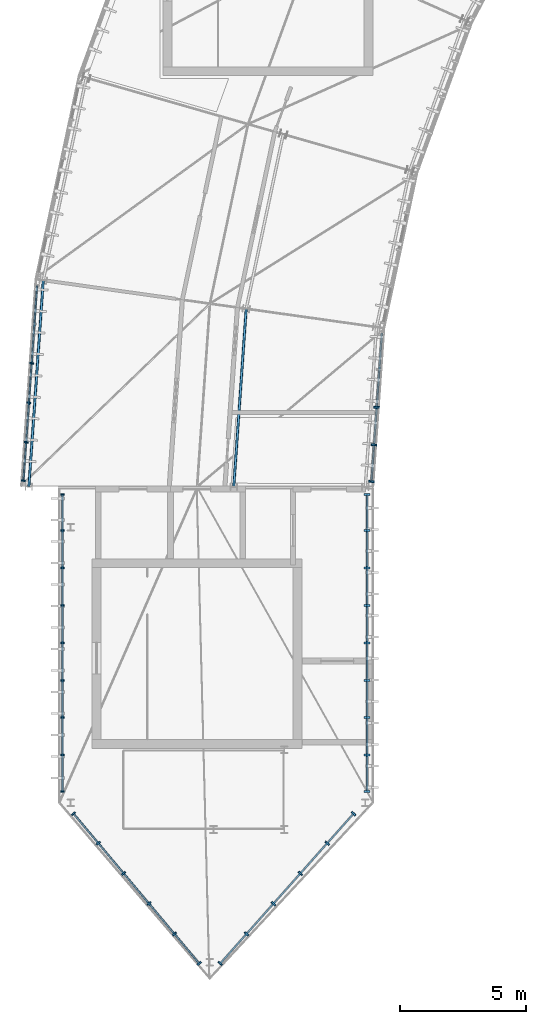
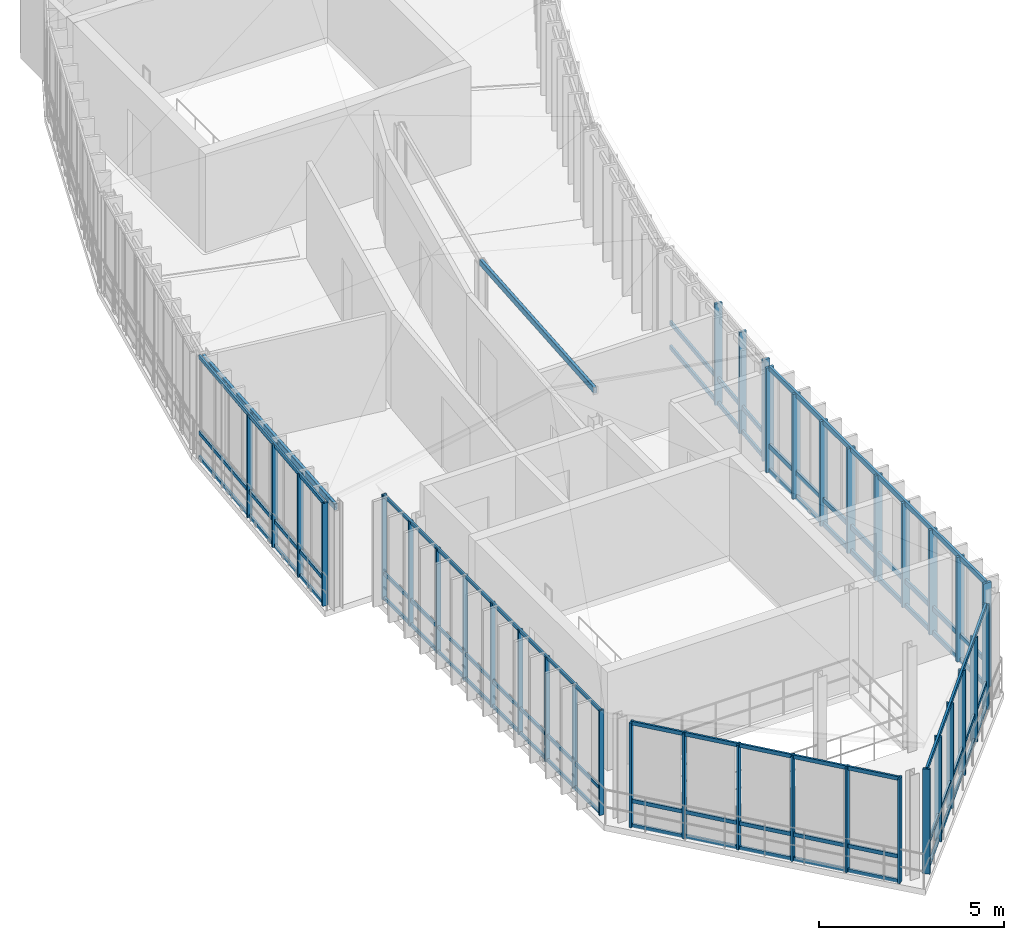
# One storey, part 3 of 18: 56 members, 6 elements without a shape of their own.
"""IFC4 building model written with IfcOpenShell, lengths in metres."""

from ifc_helpers import new_model, si_unit, direction, frame, origin, origin_2d, place, context, subcontext, project, spatial, rectangle, hollow_rectangle, extrude, material, layer, layer_set, material_profile, profile_set, type_object, element, aggregate, save


model = new_model("IFC4")

# Units and contexts
model_context = context("Model", 3, precision=1e-05, world=origin(), true_north=direction((0.0, 1.0)))
body_context = subcontext(model_context, "Body", "Model", "MODEL_VIEW")
ifc_project = project(units=[si_unit("LENGTHUNIT", "METRE"), si_unit("AREAUNIT", "SQUARE_METRE"), si_unit("VOLUMEUNIT", "CUBIC_METRE"), si_unit("PLANEANGLEUNIT", "RADIAN"), si_unit("MASSUNIT", "GRAM", prefix="KILO"), si_unit("THERMODYNAMICTEMPERATUREUNIT", "KELVIN"), si_unit("POWERUNIT", "WATT")], contexts=[model_context])

# Site, building, storey
site_placement = place(None, origin())
site = spatial("IfcSite", under=ifc_project, at=site_placement, CompositionType="ELEMENT")
building_placement = place(site_placement, origin())
building = spatial("IfcBuilding", under=site, at=building_placement, Name="Solvatero Civic Police Headquarters", CompositionType="ELEMENT")
storey_placement = place(building_placement, frame((0.0, 0.0, 29.39990234375)))
storey = spatial("IfcBuildingStorey", under=building, at=storey_placement, Name="L07", CompositionType="ELEMENT", Elevation=29.39990234375)

# Curtain wall, members
ifc_material_1 = material(Name="Anodized Bronze Aluminium", Category="aluminium")
ifc_layer_1 = layer(ifc_material_1, 0.179931640625)
ifc_layer_set_1 = layer_set([ifc_layer_1], Name="Anodized Bronze Aluminium")
curtain_wall_type_1 = type_object("IfcCurtainWallType", Name="CW-PROW-GLZ", PredefinedType="USERDEFINED", material=ifc_layer_set_1)
curtain_wall_1_placement = place(storey_placement, origin())
curtain_wall_1 = element("IfcCurtainWall", 1, at=curtain_wall_1_placement, inside=storey, type_object=curtain_wall_type_1, Name="Curtain Wall CW-R2-L07-PROW-E", ObjectType="UNITISED", PredefinedType="USERDEFINED")
ifc_material_profile_1 = material_profile(ifc_material_1, rectangle(XDim=0.080078125, YDim=0.239990234375, at=origin_2d()), Name="ALU MULLION 80x240")
ifc_profile_set_1 = profile_set([ifc_material_profile_1], Name="Anodized Bronze Aluminium")
member_type_1 = type_object("IfcMemberType", Name="CWM-140x60", PredefinedType="MULLION", material=ifc_profile_set_1)
member_1_placement = place(storey_placement, frame((48.719970703125, 13.949951171875, 0.0), z_axis=(0.0, 0.0, 1.0), x_axis=(0.0, 1.0, 0.0)))
member_1 = element("IfcMember", 2, at=member_1_placement, type_object=member_type_1, Name="CW-R2-L07-PROW-E Mullion 1", PredefinedType="MULLION", context=body_context, shape_type="SweptSolid", body=[
    extrude(rectangle(XDim=0.080078125, YDim=0.239990234375, at=origin_2d()), origin(), (0.0, 0.0, 1.0), 3.460205078125),
])
member_2_placement = place(storey_placement, frame((48.719970703125, 15.388671875, 0.0), z_axis=(0.0, 0.0, 1.0), x_axis=(0.0, 1.0, 0.0)))
member_2 = element("IfcMember", 3, at=member_2_placement, type_object=member_type_1, Name="CW-R2-L07-PROW-E Mullion 2", PredefinedType="MULLION", context=body_context, shape_type="SweptSolid", body=[
    extrude(rectangle(XDim=0.080078125, YDim=0.239990234375, at=origin_2d()), origin(), (0.0, 0.0, 1.0), 3.460205078125),
])
member_3_placement = place(storey_placement, frame((48.719970703125, 16.867431640625, 0.0), z_axis=(0.0, 0.0, 1.0), x_axis=(0.0, 1.0, 0.0)))
member_3 = element("IfcMember", 4, at=member_3_placement, type_object=member_type_1, Name="CW-R2-L07-PROW-E Mullion 3", PredefinedType="MULLION", context=body_context, shape_type="SweptSolid", body=[
    extrude(rectangle(XDim=0.080078125, YDim=0.239990234375, at=origin_2d()), origin(), (0.0, 0.0, 1.0), 3.460205078125),
])
member_4_placement = place(storey_placement, frame((48.719970703125, 18.34619140625, 0.0), z_axis=(0.0, 0.0, 1.0), x_axis=(0.0, 1.0, 0.0)))
member_4 = element("IfcMember", 5, at=member_4_placement, type_object=member_type_1, Name="CW-R2-L07-PROW-E Mullion 4", PredefinedType="MULLION", context=body_context, shape_type="SweptSolid", body=[
    extrude(rectangle(XDim=0.080078125, YDim=0.239990234375, at=origin_2d()), origin(), (0.0, 0.0, 1.0), 3.460205078125),
])
member_5_placement = place(storey_placement, frame((48.719970703125, 19.824951171875, 0.0), z_axis=(0.0, 0.0, 1.0), x_axis=(0.0, 1.0, 0.0)))
member_5 = element("IfcMember", 6, at=member_5_placement, type_object=member_type_1, Name="CW-R2-L07-PROW-E Mullion 5", PredefinedType="MULLION", context=body_context, shape_type="SweptSolid", body=[
    extrude(rectangle(XDim=0.080078125, YDim=0.239990234375, at=origin_2d()), origin(), (0.0, 0.0, 1.0), 3.460205078125),
])
member_6_placement = place(storey_placement, frame((48.719970703125, 21.3037109375, 0.0), z_axis=(0.0, 0.0, 1.0), x_axis=(0.0, 1.0, 0.0)))
member_6 = element("IfcMember", 7, at=member_6_placement, type_object=member_type_1, Name="CW-R2-L07-PROW-E Mullion 6", PredefinedType="MULLION", context=body_context, shape_type="SweptSolid", body=[
    extrude(rectangle(XDim=0.080078125, YDim=0.239990234375, at=origin_2d()), origin(), (0.0, 0.0, 1.0), 3.460205078125),
])
member_7_placement = place(storey_placement, frame((48.719970703125, 22.782470703125, 0.0), z_axis=(0.0, 0.0, 1.0), x_axis=(0.0, 1.0, 0.0)))
member_7 = element("IfcMember", 8, at=member_7_placement, type_object=member_type_1, Name="CW-R2-L07-PROW-E Mullion 7", PredefinedType="MULLION", context=body_context, shape_type="SweptSolid", body=[
    extrude(rectangle(XDim=0.080078125, YDim=0.239990234375, at=origin_2d()), origin(), (0.0, 0.0, 1.0), 3.460205078125),
])
member_8_placement = place(storey_placement, frame((48.719970703125, 24.26123046875, 0.0), z_axis=(0.0, 0.0, 1.0), x_axis=(0.0, 1.0, 0.0)))
member_8 = element("IfcMember", 9, at=member_8_placement, type_object=member_type_1, Name="CW-R2-L07-PROW-E Mullion 8", PredefinedType="MULLION", context=body_context, shape_type="SweptSolid", body=[
    extrude(rectangle(XDim=0.080078125, YDim=0.239990234375, at=origin_2d()), origin(), (0.0, 0.0, 1.0), 3.460205078125),
])
member_9_placement = place(storey_placement, frame((48.719970703125, 25.699951171875, 0.0), z_axis=(0.0, 0.0, 1.0), x_axis=(0.0, 1.0, 0.0)))
member_9 = element("IfcMember", 10, at=member_9_placement, type_object=member_type_1, Name="CW-R2-L07-PROW-E Mullion 9", PredefinedType="MULLION", context=body_context, shape_type="SweptSolid", body=[
    extrude(rectangle(XDim=0.080078125, YDim=0.239990234375, at=origin_2d()), origin(), (0.0, 0.0, 1.0), 3.460205078125),
])

curtain_wall_2_placement = place(storey_placement, origin())
curtain_wall_2 = element("IfcCurtainWall", 11, at=curtain_wall_2_placement, inside=storey, type_object=curtain_wall_type_1, Name="Curtain Wall CW-R2-L07-PROW-W", ObjectType="UNITISED", PredefinedType="USERDEFINED")
ifc_material_profile_2 = material_profile(ifc_material_1, rectangle(XDim=0.06005859375, YDim=0.139892578125, at=origin_2d()), Name="ALU MULLION 60x140")
ifc_profile_set_2 = profile_set([ifc_material_profile_2], Name="Anodized Bronze Aluminium")
member_type_2 = type_object("IfcMemberType", Name="CWM-160x65", PredefinedType="MULLION", material=ifc_profile_set_2)
member_10_placement = place(storey_placement, frame((36.679931640625, 25.699951171875, 0.0), z_axis=(0.0, 0.0, 1.0), x_axis=(0.0, -1.0, 0.0)))
member_10 = element("IfcMember", 12, at=member_10_placement, type_object=member_type_2, Name="CW-R2-L07-PROW-W Mullion 1", PredefinedType="MULLION", context=body_context, shape_type="SweptSolid", body=[
    extrude(rectangle(XDim=0.06005859375, YDim=0.139892578125, at=origin_2d()), origin(), (0.0, 0.0, 1.0), 3.460205078125),
])
member_11_placement = place(storey_placement, frame((36.679931640625, 24.26123046875, 0.0), z_axis=(0.0, 0.0, 1.0), x_axis=(0.0, -1.0, 0.0)))
member_11 = element("IfcMember", 13, at=member_11_placement, type_object=member_type_2, Name="CW-R2-L07-PROW-W Mullion 2", PredefinedType="MULLION", context=body_context, shape_type="SweptSolid", body=[
    extrude(rectangle(XDim=0.06005859375, YDim=0.139892578125, at=origin_2d()), origin(), (0.0, 0.0, 1.0), 3.460205078125),
])
member_12_placement = place(storey_placement, frame((36.679931640625, 22.782470703125, 0.0), z_axis=(0.0, 0.0, 1.0), x_axis=(0.0, -1.0, 0.0)))
member_12 = element("IfcMember", 14, at=member_12_placement, type_object=member_type_2, Name="CW-R2-L07-PROW-W Mullion 3", PredefinedType="MULLION", context=body_context, shape_type="SweptSolid", body=[
    extrude(rectangle(XDim=0.06005859375, YDim=0.139892578125, at=origin_2d()), origin(), (0.0, 0.0, 1.0), 3.460205078125),
])
member_13_placement = place(storey_placement, frame((36.679931640625, 21.3037109375, 0.0), z_axis=(0.0, 0.0, 1.0), x_axis=(0.0, -1.0, 0.0)))
member_13 = element("IfcMember", 15, at=member_13_placement, type_object=member_type_2, Name="CW-R2-L07-PROW-W Mullion 4", PredefinedType="MULLION", context=body_context, shape_type="SweptSolid", body=[
    extrude(rectangle(XDim=0.06005859375, YDim=0.139892578125, at=origin_2d()), origin(), (0.0, 0.0, 1.0), 3.460205078125),
])
member_14_placement = place(storey_placement, frame((36.679931640625, 19.824951171875, 0.0), z_axis=(0.0, 0.0, 1.0), x_axis=(0.0, -1.0, 0.0)))
member_14 = element("IfcMember", 16, at=member_14_placement, type_object=member_type_2, Name="CW-R2-L07-PROW-W Mullion 5", PredefinedType="MULLION", context=body_context, shape_type="SweptSolid", body=[
    extrude(rectangle(XDim=0.06005859375, YDim=0.139892578125, at=origin_2d()), origin(), (0.0, 0.0, 1.0), 3.460205078125),
])
member_15_placement = place(storey_placement, frame((36.679931640625, 18.34619140625, 0.0), z_axis=(0.0, 0.0, 1.0), x_axis=(0.0, -1.0, 0.0)))
member_15 = element("IfcMember", 17, at=member_15_placement, type_object=member_type_2, Name="CW-R2-L07-PROW-W Mullion 6", PredefinedType="MULLION", context=body_context, shape_type="SweptSolid", body=[
    extrude(rectangle(XDim=0.06005859375, YDim=0.139892578125, at=origin_2d()), origin(), (0.0, 0.0, 1.0), 3.460205078125),
])
member_16_placement = place(storey_placement, frame((36.679931640625, 16.867431640625, 0.0), z_axis=(0.0, 0.0, 1.0), x_axis=(0.0, -1.0, 0.0)))
member_16 = element("IfcMember", 18, at=member_16_placement, type_object=member_type_2, Name="CW-R2-L07-PROW-W Mullion 7", PredefinedType="MULLION", context=body_context, shape_type="SweptSolid", body=[
    extrude(rectangle(XDim=0.06005859375, YDim=0.139892578125, at=origin_2d()), origin(), (0.0, 0.0, 1.0), 3.460205078125),
])
member_17_placement = place(storey_placement, frame((36.679931640625, 15.388671875, 0.0), z_axis=(0.0, 0.0, 1.0), x_axis=(0.0, -1.0, 0.0)))
member_17 = element("IfcMember", 19, at=member_17_placement, type_object=member_type_2, Name="CW-R2-L07-PROW-W Mullion 8", PredefinedType="MULLION", context=body_context, shape_type="SweptSolid", body=[
    extrude(rectangle(XDim=0.06005859375, YDim=0.139892578125, at=origin_2d()), origin(), (0.0, 0.0, 1.0), 3.460205078125),
])
member_18_placement = place(storey_placement, frame((36.679931640625, 13.949951171875, 0.0), z_axis=(0.0, 0.0, 1.0), x_axis=(0.0, -1.0, 0.0)))
member_18 = element("IfcMember", 20, at=member_18_placement, type_object=member_type_2, Name="CW-R2-L07-PROW-W Mullion 9", PredefinedType="MULLION", context=body_context, shape_type="SweptSolid", body=[
    extrude(rectangle(XDim=0.06005859375, YDim=0.139892578125, at=origin_2d()), origin(), (0.0, 0.0, 1.0), 3.460205078125),
])

ifc_layer_2 = layer(ifc_material_1, 0.179931640625)
ifc_layer_set_2 = layer_set([ifc_layer_2], Name="Anodized Bronze Aluminium")
curtain_wall_type_2 = type_object("IfcCurtainWallType", Name="CW-ARC-OUT", PredefinedType="USERDEFINED", material=ifc_layer_set_2)
curtain_wall_3_placement = place(storey_placement, origin())
curtain_wall_3 = element("IfcCurtainWall", 21, at=curtain_wall_3_placement, inside=storey, type_object=curtain_wall_type_2, Name="Curtain Wall CW-R2-L07-ARC-OUT-B12", ObjectType="UNITISED", PredefinedType="USERDEFINED")
ifc_material_profile_3 = material_profile(ifc_material_1, rectangle(XDim=0.06005859375, YDim=0.159912109375, at=origin_2d()), Name="ALU MULLION 60x160")
ifc_profile_set_3 = profile_set([ifc_material_profile_3], Name="Anodized Bronze Aluminium")
member_type_3 = type_object("IfcMemberType", Name="CWM-180x70", PredefinedType="MULLION", material=ifc_profile_set_3)
member_19_placement = place(storey_placement, frame((35.4609375, 30.877685546875, 0.0), z_axis=(0.0, 0.0, 1.0), x_axis=(-0.069739062956, -0.997565267588, 0.0)))
member_19 = element("IfcMember", 22, at=member_19_placement, type_object=member_type_3, Name="CW-R2-L07-ARC-OUT-B12 Mullion 3", PredefinedType="MULLION", context=body_context, shape_type="SweptSolid", body=[
    extrude(rectangle(XDim=0.06005859375, YDim=0.159912109375, at=origin_2d()), origin(), (0.0, 0.0, 1.0), 3.393310546875),
])
member_20_placement = place(storey_placement, frame((35.351806640625, 29.31689453125, 0.0), z_axis=(0.0, 0.0, 1.0), x_axis=(-0.069739062956, -0.997565267588, 0.0)))
member_20 = element("IfcMember", 23, at=member_20_placement, type_object=member_type_3, Name="CW-R2-L07-ARC-OUT-B12 Mullion 4", PredefinedType="MULLION", context=body_context, shape_type="SweptSolid", body=[
    extrude(rectangle(XDim=0.06005859375, YDim=0.159912109375, at=origin_2d()), origin(), (0.0, 0.0, 1.0), 3.393310546875),
])
member_21_placement = place(storey_placement, frame((35.242919921875, 27.756103515625, 0.0), z_axis=(0.0, 0.0, 1.0), x_axis=(-0.069739062956, -0.997565267588, 0.0)))
member_21 = element("IfcMember", 24, at=member_21_placement, type_object=member_type_3, Name="CW-R2-L07-ARC-OUT-B12 Mullion 5", PredefinedType="MULLION", context=body_context, shape_type="SweptSolid", body=[
    extrude(rectangle(XDim=0.06005859375, YDim=0.159912109375, at=origin_2d()), origin(), (0.0, 0.0, 1.0), 3.393310546875),
])
member_22_placement = place(storey_placement, frame((35.136474609375, 26.2353515625, 0.0), z_axis=(0.0, 0.0, 1.0), x_axis=(-0.069739062956, -0.997565267588, 0.0)))
member_22 = element("IfcMember", 25, at=member_22_placement, type_object=member_type_3, Name="CW-R2-L07-ARC-OUT-B12 Mullion 6", PredefinedType="MULLION", context=body_context, shape_type="SweptSolid", body=[
    extrude(rectangle(XDim=0.06005859375, YDim=0.159912109375, at=origin_2d()), origin(), (0.0, 0.0, 1.0), 3.393310546875),
])

curtain_wall_4_placement = place(storey_placement, origin())
curtain_wall_4 = element("IfcCurtainWall", 26, at=curtain_wall_4_placement, inside=storey, type_object=curtain_wall_type_1, Name="Curtain Wall CW-R2-L07-PROW-SW", ObjectType="UNITISED", PredefinedType="USERDEFINED")
ifc_material_profile_4 = material_profile(ifc_material_1, rectangle(XDim=0.06494140625, YDim=0.179931640625, at=origin_2d()), Name="ALU MULLION 65x180")
ifc_profile_set_4 = profile_set([ifc_material_profile_4], Name="Anodized Bronze Aluminium")
member_type_4 = type_object("IfcMemberType", Name="CWM-200x75", PredefinedType="MULLION", material=ifc_profile_set_4)
member_23_placement = place(storey_placement, frame((37.1142578125, 13.073486328125, 0.0), z_axis=(0.0, 0.0, 1.0), x_axis=(0.643282165541, -0.765629189293, 0.0)))
member_23 = element("IfcMember", 27, at=member_23_placement, type_object=member_type_4, Name="CW-R2-L07-PROW-SW Mullion 1", PredefinedType="MULLION", context=body_context, shape_type="SweptSolid", body=[
    extrude(rectangle(XDim=0.06494140625, YDim=0.179931640625, at=origin_2d()), origin(), (0.0, 0.0, 1.0), 3.460205078125),
])
member_24_placement = place(storey_placement, frame((38.09326171875, 11.908447265625, 0.0), z_axis=(0.0, 0.0, 1.0), x_axis=(0.643282165541, -0.765629189293, 0.0)))
member_24 = element("IfcMember", 28, at=member_24_placement, type_object=member_type_4, Name="CW-R2-L07-PROW-SW Mullion 2", PredefinedType="MULLION", context=body_context, shape_type="SweptSolid", body=[
    extrude(rectangle(XDim=0.06494140625, YDim=0.179931640625, at=origin_2d()), origin(), (0.0, 0.0, 1.0), 3.460205078125),
])
member_25_placement = place(storey_placement, frame((39.09765625, 10.712890625, 0.0), z_axis=(0.0, 0.0, 1.0), x_axis=(0.643282165541, -0.765629189293, 0.0)))
member_25 = element("IfcMember", 29, at=member_25_placement, type_object=member_type_4, Name="CW-R2-L07-PROW-SW Mullion 3", PredefinedType="MULLION", context=body_context, shape_type="SweptSolid", body=[
    extrude(rectangle(XDim=0.06494140625, YDim=0.179931640625, at=origin_2d()), origin(), (0.0, 0.0, 1.0), 3.460205078125),
])
member_26_placement = place(storey_placement, frame((40.102294921875, 9.51708984375, 0.0), z_axis=(0.0, 0.0, 1.0), x_axis=(0.643282165541, -0.765629189293, 0.0)))
member_26 = element("IfcMember", 30, at=member_26_placement, type_object=member_type_4, Name="CW-R2-L07-PROW-SW Mullion 4", PredefinedType="MULLION", context=body_context, shape_type="SweptSolid", body=[
    extrude(rectangle(XDim=0.06494140625, YDim=0.179931640625, at=origin_2d()), origin(), (0.0, 0.0, 1.0), 3.460205078125),
])
member_27_placement = place(storey_placement, frame((41.10693359375, 8.321533203125, 0.0), z_axis=(0.0, 0.0, 1.0), x_axis=(0.643282165541, -0.765629189293, 0.0)))
member_27 = element("IfcMember", 31, at=member_27_placement, type_object=member_type_4, Name="CW-R2-L07-PROW-SW Mullion 5", PredefinedType="MULLION", context=body_context, shape_type="SweptSolid", body=[
    extrude(rectangle(XDim=0.06494140625, YDim=0.179931640625, at=origin_2d()), origin(), (0.0, 0.0, 1.0), 3.460205078125),
])
member_28_placement = place(storey_placement, frame((42.085693359375, 7.156494140625, 0.0), z_axis=(0.0, 0.0, 1.0), x_axis=(0.643282165541, -0.765629189293, 0.0)))
member_28 = element("IfcMember", 32, at=member_28_placement, type_object=member_type_4, Name="CW-R2-L07-PROW-SW Mullion 6", PredefinedType="MULLION", context=body_context, shape_type="SweptSolid", body=[
    extrude(rectangle(XDim=0.06494140625, YDim=0.179931640625, at=origin_2d()), origin(), (0.0, 0.0, 1.0), 3.460205078125),
])

curtain_wall_5_placement = place(storey_placement, origin())
curtain_wall_5 = element("IfcCurtainWall", 33, at=curtain_wall_5_placement, inside=storey, type_object=curtain_wall_type_1, Name="Curtain Wall CW-R2-L07-PROW-SE", ObjectType="UNITISED", PredefinedType="USERDEFINED")
ifc_material_profile_5 = material_profile(ifc_material_1, rectangle(XDim=0.070068359375, YDim=0.199951171875, at=origin_2d()), Name="ALU MULLION 70x200")
ifc_profile_set_5 = profile_set([ifc_material_profile_5], Name="Anodized Bronze Aluminium")
member_type_5 = type_object("IfcMemberType", Name="CWM-220x80", PredefinedType="MULLION", material=ifc_profile_set_5)
member_29_placement = place(storey_placement, frame((42.91650390625, 7.15478515625, 0.0), z_axis=(0.0, 0.0, 1.0), x_axis=(0.664656781592, 0.747148822313, 0.0)))
member_29 = element("IfcMember", 34, at=member_29_placement, type_object=member_type_5, Name="CW-R2-L07-PROW-SE Mullion 1", PredefinedType="MULLION", context=body_context, shape_type="SweptSolid", body=[
    extrude(rectangle(XDim=0.070068359375, YDim=0.199951171875, at=origin_2d()), origin(), (0.0, 0.0, 1.0), 3.460205078125),
])
member_30_placement = place(storey_placement, frame((43.9541015625, 8.32080078125, 0.0), z_axis=(0.0, 0.0, 1.0), x_axis=(0.664656781592, 0.747148822313, 0.0)))
member_30 = element("IfcMember", 35, at=member_30_placement, type_object=member_type_5, Name="CW-R2-L07-PROW-SE Mullion 2", PredefinedType="MULLION", context=body_context, shape_type="SweptSolid", body=[
    extrude(rectangle(XDim=0.070068359375, YDim=0.199951171875, at=origin_2d()), origin(), (0.0, 0.0, 1.0), 3.460205078125),
])
member_31_placement = place(storey_placement, frame((45.01806640625, 9.516845703125, 0.0), z_axis=(0.0, 0.0, 1.0), x_axis=(0.664656781592, 0.747148822313, 0.0)))
member_31 = element("IfcMember", 36, at=member_31_placement, type_object=member_type_5, Name="CW-R2-L07-PROW-SE Mullion 3", PredefinedType="MULLION", context=body_context, shape_type="SweptSolid", body=[
    extrude(rectangle(XDim=0.070068359375, YDim=0.199951171875, at=origin_2d()), origin(), (0.0, 0.0, 1.0), 3.460205078125),
])
member_32_placement = place(storey_placement, frame((46.08203125, 10.712890625, 0.0), z_axis=(0.0, 0.0, 1.0), x_axis=(0.664656781592, 0.747148822313, 0.0)))
member_32 = element("IfcMember", 37, at=member_32_placement, type_object=member_type_5, Name="CW-R2-L07-PROW-SE Mullion 4", PredefinedType="MULLION", context=body_context, shape_type="SweptSolid", body=[
    extrude(rectangle(XDim=0.070068359375, YDim=0.199951171875, at=origin_2d()), origin(), (0.0, 0.0, 1.0), 3.460205078125),
])
member_33_placement = place(storey_placement, frame((47.14599609375, 11.9091796875, 0.0), z_axis=(0.0, 0.0, 1.0), x_axis=(0.664656781592, 0.747148822313, 0.0)))
member_33 = element("IfcMember", 38, at=member_33_placement, type_object=member_type_5, Name="CW-R2-L07-PROW-SE Mullion 5", PredefinedType="MULLION", context=body_context, shape_type="SweptSolid", body=[
    extrude(rectangle(XDim=0.070068359375, YDim=0.199951171875, at=origin_2d()), origin(), (0.0, 0.0, 1.0), 3.460205078125),
])
member_34_placement = place(storey_placement, frame((48.18359375, 13.0751953125, 0.0), z_axis=(0.0, 0.0, 1.0), x_axis=(0.664656781592, 0.747148822313, 0.0)))
member_34 = element("IfcMember", 39, at=member_34_placement, type_object=member_type_5, Name="CW-R2-L07-PROW-SE Mullion 6", PredefinedType="MULLION", context=body_context, shape_type="SweptSolid", body=[
    extrude(rectangle(XDim=0.070068359375, YDim=0.199951171875, at=origin_2d()), origin(), (0.0, 0.0, 1.0), 3.460205078125),
])

ifc_layer_3 = layer(ifc_material_1, 0.179931640625)
ifc_layer_set_3 = layer_set([ifc_layer_3], Name="Anodized Bronze Aluminium")
curtain_wall_type_3 = type_object("IfcCurtainWallType", Name="CW-ARC-IN", PredefinedType="USERDEFINED", material=ifc_layer_set_3)
curtain_wall_6_placement = place(storey_placement, origin())
curtain_wall_6 = element("IfcCurtainWall", 40, at=curtain_wall_6_placement, inside=storey, type_object=curtain_wall_type_3, Name="Curtain Wall CW-R2-L07-ARC-IN-B12", ObjectType="UNITISED", PredefinedType="USERDEFINED")
ifc_material_profile_6 = material_profile(ifc_material_1, rectangle(XDim=0.074951171875, YDim=0.219970703125, at=origin_2d()), Name="ALU MULLION 75x220")
ifc_profile_set_6 = profile_set([ifc_material_profile_6], Name="Anodized Bronze Aluminium")
member_type_6 = type_object("IfcMemberType", Name="CWM-250x85", PredefinedType="MULLION", material=ifc_profile_set_6)
member_35_placement = place(storey_placement, frame((49.099609375, 29.1396484375, 0.0), z_axis=(0.0, 0.0, 1.0), x_axis=(-0.069773884511, -0.997562832628, 0.0)))
member_35 = element("IfcMember", 41, at=member_35_placement, type_object=member_type_6, Name="CW-R2-L07-ARC-IN-B12 Mullion 3", PredefinedType="MULLION", context=body_context, shape_type="SweptSolid", body=[
    extrude(rectangle(XDim=0.074951171875, YDim=0.219970703125, at=origin_2d()), origin(), (0.0, 0.0, 1.0), 3.351806640625),
])
member_36_placement = place(storey_placement, frame((48.99560546875, 27.651611328125, 0.0), z_axis=(0.0, 0.0, 1.0), x_axis=(-0.069773884511, -0.997562832628, 0.0)))
member_36 = element("IfcMember", 42, at=member_36_placement, type_object=member_type_6, Name="CW-R2-L07-ARC-IN-B12 Mullion 4", PredefinedType="MULLION", context=body_context, shape_type="SweptSolid", body=[
    extrude(rectangle(XDim=0.074951171875, YDim=0.219970703125, at=origin_2d()), origin(), (0.0, 0.0, 1.0), 3.351806640625),
])
member_37_placement = place(storey_placement, frame((48.894287109375, 26.20361328125, 0.0), z_axis=(0.0, 0.0, 1.0), x_axis=(-0.069773884511, -0.997562832628, 0.0)))
member_37 = element("IfcMember", 43, at=member_37_placement, type_object=member_type_6, Name="CW-R2-L07-ARC-IN-B12 Mullion 5", PredefinedType="MULLION", context=body_context, shape_type="SweptSolid", body=[
    extrude(rectangle(XDim=0.074951171875, YDim=0.219970703125, at=origin_2d()), origin(), (0.0, 0.0, 1.0), 3.351806640625),
])

# Member
ifc_material_profile_7 = material_profile(ifc_material_1, rectangle(XDim=0.070068359375, YDim=0.159912109375, at=origin_2d()), Name="ALU TRANSOM 70x160")
ifc_profile_set_7 = profile_set([ifc_material_profile_7], Name="Anodized Bronze Aluminium")
member_type_7 = type_object("IfcMemberType", Name="CWT-120x55", PredefinedType="USERDEFINED", material=ifc_profile_set_7)
member_38_placement = place(storey_placement, frame((48.719970703125, 13.9599609375, 0.0400390625), z_axis=(0.0, 1.0, 0.0), x_axis=(-1.0, 0.0, 0.0)))
member_38 = element("IfcMember", 44, at=member_38_placement, type_object=member_type_7, Name="CW-R2-L07-PROW-E Transom 1", ObjectType="TRANSOM", PredefinedType="USERDEFINED", context=body_context, shape_type="SweptSolid", body=[
    extrude(rectangle(XDim=0.070068359375, YDim=0.159912109375, at=origin_2d()), origin(), (0.0, 0.0, 1.0), 11.72998046875),
])

member_39_placement = place(storey_placement, frame((48.719970703125, 13.9599609375, 0.85009765625), z_axis=(0.0, 1.0, 0.0), x_axis=(-1.0, 0.0, 0.0)))
member_39 = element("IfcMember", 45, at=member_39_placement, type_object=member_type_7, Name="CW-R2-L07-PROW-E Transom 2", ObjectType="TRANSOM", PredefinedType="USERDEFINED", context=body_context, shape_type="SweptSolid", body=[
    extrude(rectangle(XDim=0.070068359375, YDim=0.159912109375, at=origin_2d()), origin(), (0.0, 0.0, 1.0), 11.72998046875),
])

member_40_placement = place(storey_placement, frame((48.719970703125, 13.9599609375, 3.420166015625), z_axis=(0.0, 1.0, 0.0), x_axis=(-1.0, 0.0, 0.0)))
member_40 = element("IfcMember", 46, at=member_40_placement, type_object=member_type_7, Name="CW-R2-L07-PROW-E Transom 3", ObjectType="TRANSOM", PredefinedType="USERDEFINED", context=body_context, shape_type="SweptSolid", body=[
    extrude(rectangle(XDim=0.070068359375, YDim=0.159912109375, at=origin_2d()), origin(), (0.0, 0.0, 1.0), 11.72998046875),
])

aggregate(curtain_wall_1, [member_1, member_2, member_3, member_4, member_5, member_6, member_7, member_8, member_9, member_38, member_39, member_40])

ifc_material_profile_8 = material_profile(ifc_material_1, rectangle(XDim=0.06005859375, YDim=0.110107421875, at=origin_2d()), Name="ALU TRANSOM 60x110")
ifc_profile_set_8 = profile_set([ifc_material_profile_8], Name="Anodized Bronze Aluminium")
member_type_8 = type_object("IfcMemberType", Name="CWT-140x60", PredefinedType="USERDEFINED", material=ifc_profile_set_8)
member_41_placement = place(storey_placement, frame((36.679931640625, 25.68994140625, 0.0400390625), z_axis=(0.0, -1.0, 0.0), x_axis=(1.0, 0.0, 0.0)))
member_41 = element("IfcMember", 47, at=member_41_placement, type_object=member_type_8, Name="CW-R2-L07-PROW-W Transom 1", ObjectType="TRANSOM", PredefinedType="USERDEFINED", context=body_context, shape_type="SweptSolid", body=[
    extrude(rectangle(XDim=0.06005859375, YDim=0.110107421875, at=origin_2d()), origin(), (0.0, 0.0, 1.0), 11.72998046875),
])

member_42_placement = place(storey_placement, frame((36.679931640625, 25.68994140625, 0.85009765625), z_axis=(0.0, -1.0, 0.0), x_axis=(1.0, 0.0, 0.0)))
member_42 = element("IfcMember", 48, at=member_42_placement, type_object=member_type_8, Name="CW-R2-L07-PROW-W Transom 2", ObjectType="TRANSOM", PredefinedType="USERDEFINED", context=body_context, shape_type="SweptSolid", body=[
    extrude(rectangle(XDim=0.06005859375, YDim=0.110107421875, at=origin_2d()), origin(), (0.0, 0.0, 1.0), 11.72998046875),
])

member_43_placement = place(storey_placement, frame((36.679931640625, 25.68994140625, 3.420166015625), z_axis=(0.0, -1.0, 0.0), x_axis=(1.0, 0.0, 0.0)))
member_43 = element("IfcMember", 49, at=member_43_placement, type_object=member_type_8, Name="CW-R2-L07-PROW-W Transom 3", ObjectType="TRANSOM", PredefinedType="USERDEFINED", context=body_context, shape_type="SweptSolid", body=[
    extrude(rectangle(XDim=0.06005859375, YDim=0.110107421875, at=origin_2d()), origin(), (0.0, 0.0, 1.0), 11.72998046875),
])

aggregate(curtain_wall_2, [member_10, member_11, member_12, member_13, member_14, member_15, member_16, member_17, member_18, member_41, member_42, member_43])

ifc_material_profile_9 = material_profile(ifc_material_1, rectangle(XDim=0.06005859375, YDim=0.125, at=origin_2d()), Name="ALU TRANSOM 60x125")
ifc_profile_set_9 = profile_set([ifc_material_profile_9], Name="Anodized Bronze Aluminium")
member_type_9 = type_object("IfcMemberType", Name="CWT-160x65", PredefinedType="USERDEFINED", material=ifc_profile_set_9)
member_44_placement = place(storey_placement, frame((35.67578125, 33.94921875, 0.0400390625), z_axis=(-0.069739468161, -0.99756523926, 0.0), x_axis=(0.99756523926, -0.069739468161, 0.0)))
member_44 = element("IfcMember", 50, at=member_44_placement, type_object=member_type_9, Name="CW-R2-L07-ARC-OUT-B12 Transom 1", ObjectType="TRANSOM", PredefinedType="USERDEFINED", context=body_context, shape_type="SweptSolid", body=[
    extrude(rectangle(XDim=0.06005859375, YDim=0.125, at=origin_2d()), origin(), (0.0, 0.0, 1.0), 7.72265625),
])

member_45_placement = place(storey_placement, frame((35.67578125, 33.94921875, 0.85009765625), z_axis=(-0.069739468161, -0.99756523926, 0.0), x_axis=(0.99756523926, -0.069739468161, 0.0)))
member_45 = element("IfcMember", 51, at=member_45_placement, type_object=member_type_9, Name="CW-R2-L07-ARC-OUT-B12 Transom 2", ObjectType="TRANSOM", PredefinedType="USERDEFINED", context=body_context, shape_type="SweptSolid", body=[
    extrude(rectangle(XDim=0.06005859375, YDim=0.125, at=origin_2d()), origin(), (0.0, 0.0, 1.0), 7.72265625),
])

member_46_placement = place(storey_placement, frame((35.67578125, 33.94921875, 3.353515625), z_axis=(-0.069739468161, -0.99756523926, 0.0), x_axis=(0.99756523926, -0.069739468161, 0.0)))
member_46 = element("IfcMember", 52, at=member_46_placement, type_object=member_type_9, Name="CW-R2-L07-ARC-OUT-B12 Transom 3", ObjectType="TRANSOM", PredefinedType="USERDEFINED", context=body_context, shape_type="SweptSolid", body=[
    extrude(rectangle(XDim=0.06005859375, YDim=0.125, at=origin_2d()), origin(), (0.0, 0.0, 1.0), 7.72265625),
])

aggregate(curtain_wall_3, [member_19, member_20, member_21, member_22, member_44, member_45, member_46])

member_47_placement = place(storey_placement, frame((37.120849609375, 13.06591796875, 0.0400390625), z_axis=(0.643260422909, -0.76564745694, 0.0), x_axis=(0.76564745694, 0.643260422909, 0.0)))
member_47 = element("IfcMember", 53, at=member_47_placement, type_object=member_type_9, Name="CW-R2-L07-PROW-SW Transom 1", ObjectType="TRANSOM", PredefinedType="USERDEFINED", context=body_context, shape_type="SweptSolid", body=[
    extrude(rectangle(XDim=0.06005859375, YDim=0.125, at=origin_2d()), origin(), (0.0, 0.0, 1.0), 7.7080078125),
])

member_48_placement = place(storey_placement, frame((37.120849609375, 13.06591796875, 0.85009765625), z_axis=(0.643260422909, -0.76564745694, 0.0), x_axis=(0.76564745694, 0.643260422909, 0.0)))
member_48 = element("IfcMember", 54, at=member_48_placement, type_object=member_type_9, Name="CW-R2-L07-PROW-SW Transom 2", ObjectType="TRANSOM", PredefinedType="USERDEFINED", context=body_context, shape_type="SweptSolid", body=[
    extrude(rectangle(XDim=0.06005859375, YDim=0.125, at=origin_2d()), origin(), (0.0, 0.0, 1.0), 7.7080078125),
])

member_49_placement = place(storey_placement, frame((37.120849609375, 13.06591796875, 3.420166015625), z_axis=(0.643260422909, -0.76564745694, 0.0), x_axis=(0.76564745694, 0.643260422909, 0.0)))
member_49 = element("IfcMember", 55, at=member_49_placement, type_object=member_type_9, Name="CW-R2-L07-PROW-SW Transom 3", ObjectType="TRANSOM", PredefinedType="USERDEFINED", context=body_context, shape_type="SweptSolid", body=[
    extrude(rectangle(XDim=0.06005859375, YDim=0.125, at=origin_2d()), origin(), (0.0, 0.0, 1.0), 7.7080078125),
])

aggregate(curtain_wall_4, [member_23, member_24, member_25, member_26, member_27, member_28, member_47, member_48, member_49])

ifc_material_profile_10 = material_profile(ifc_material_1, rectangle(XDim=0.06494140625, YDim=0.139892578125, at=origin_2d()), Name="ALU TRANSOM 65x140")
ifc_profile_set_10 = profile_set([ifc_material_profile_10], Name="Anodized Bronze Aluminium")
member_type_10 = type_object("IfcMemberType", Name="CWT-180x70", PredefinedType="USERDEFINED", material=ifc_profile_set_10)
member_50_placement = place(storey_placement, frame((49.30419921875, 32.06591796875, 0.0400390625), z_axis=(-0.069744649337, -0.997564877032, 0.0), x_axis=(0.997564877032, -0.069744649337, 0.0)))
member_50 = element("IfcMember", 56, at=member_50_placement, type_object=member_type_10, Name="CW-R2-L07-ARC-IN-B12 Transom 1", ObjectType="TRANSOM", PredefinedType="USERDEFINED", context=body_context, shape_type="SweptSolid", body=[
    extrude(rectangle(XDim=0.06494140625, YDim=0.139892578125, at=origin_2d()), origin(), (0.0, 0.0, 1.0), 5.866943359375),
])

member_51_placement = place(storey_placement, frame((49.30419921875, 32.06591796875, 0.85009765625), z_axis=(-0.069744649337, -0.997564877032, 0.0), x_axis=(0.997564877032, -0.069744649337, 0.0)))
member_51 = element("IfcMember", 57, at=member_51_placement, type_object=member_type_10, Name="CW-R2-L07-ARC-IN-B12 Transom 2", ObjectType="TRANSOM", PredefinedType="USERDEFINED", context=body_context, shape_type="SweptSolid", body=[
    extrude(rectangle(XDim=0.06494140625, YDim=0.139892578125, at=origin_2d()), origin(), (0.0, 0.0, 1.0), 5.866943359375),
])

aggregate(curtain_wall_6, [member_35, member_36, member_37, member_50, member_51])

member_52_placement = place(storey_placement, frame((42.923095703125, 7.162109375, 0.0400390625), z_axis=(0.664670514565, 0.747136605359, 0.0), x_axis=(-0.747136605359, 0.664670514565, 0.0)))
member_52 = element("IfcMember", 58, at=member_52_placement, type_object=member_type_10, Name="CW-R2-L07-PROW-SE Transom 1", ObjectType="TRANSOM", PredefinedType="USERDEFINED", context=body_context, shape_type="SweptSolid", body=[
    extrude(rectangle(XDim=0.06494140625, YDim=0.139892578125, at=origin_2d()), origin(), (0.0, 0.0, 1.0), 7.904541015625),
])

member_53_placement = place(storey_placement, frame((42.923095703125, 7.162109375, 0.85009765625), z_axis=(0.664670514565, 0.747136605359, 0.0), x_axis=(-0.747136605359, 0.664670514565, 0.0)))
member_53 = element("IfcMember", 59, at=member_53_placement, type_object=member_type_10, Name="CW-R2-L07-PROW-SE Transom 2", ObjectType="TRANSOM", PredefinedType="USERDEFINED", context=body_context, shape_type="SweptSolid", body=[
    extrude(rectangle(XDim=0.06494140625, YDim=0.139892578125, at=origin_2d()), origin(), (0.0, 0.0, 1.0), 7.904541015625),
])

member_54_placement = place(storey_placement, frame((42.923095703125, 7.162109375, 3.420166015625), z_axis=(0.664670514565, 0.747136605359, 0.0), x_axis=(-0.747136605359, 0.664670514565, 0.0)))
member_54 = element("IfcMember", 60, at=member_54_placement, type_object=member_type_10, Name="CW-R2-L07-PROW-SE Transom 3", ObjectType="TRANSOM", PredefinedType="USERDEFINED", context=body_context, shape_type="SweptSolid", body=[
    extrude(rectangle(XDim=0.06494140625, YDim=0.139892578125, at=origin_2d()), origin(), (0.0, 0.0, 1.0), 7.904541015625),
])

aggregate(curtain_wall_5, [member_29, member_30, member_31, member_32, member_33, member_34, member_52, member_53, member_54])

# Members
ifc_material_2 = material(Name="Steel S355", Category="steel")
ifc_material_profile_11 = material_profile(ifc_material_2, hollow_rectangle(XDim=0.10009765625, YDim=0.199951171875, WallThickness=0.008056640625, InnerFilletRadius=0.008056640625, OuterFilletRadius=0.01611328125, at=origin_2d()), Name="RHS 200x100x8.0")
ifc_profile_set_11 = profile_set([ifc_material_profile_11], Name="Steel S355")
member_type_11 = type_object("IfcMemberType", Name="MB-BR-RHS200", PredefinedType="BRACE", material=ifc_profile_set_11)
member_55_placement = place(storey_placement, frame((43.94189453125, 33.03515625, 4.135009765625), z_axis=(-0.069728005644, -0.997162387415, 0.028375664828), x_axis=(0.99756407679, -0.069756094348, 0.0)))
element("IfcMember", 61, at=member_55_placement, inside=storey, type_object=member_type_11, Name="Arc Roof Purlin B12 RDG", PredefinedType="BRACE", context=body_context, shape_type="SweptSolid", body=[
    extrude(hollow_rectangle(XDim=0.10009765625, YDim=0.199951171875, WallThickness=0.008056640625, InnerFilletRadius=0.008056640625, OuterFilletRadius=0.01611328125, at=origin_2d()), origin(), (0.0, 0.0, 1.0), 7.05517578125),
])
member_56_placement = place(storey_placement, frame((35.9208984375, 34.16259765625, 3.1201171875), z_axis=(-0.069737643887, -0.997266204332, 0.024429054895), x_axis=(0.997563911213, -0.069758462177, 0.0)))
element("IfcMember", 62, at=member_56_placement, inside=storey, type_object=member_type_11, Name="Arc Roof Purlin B12 EOUT", PredefinedType="BRACE", context=body_context, shape_type="SweptSolid", body=[
    extrude(hollow_rectangle(XDim=0.10009765625, YDim=0.199951171875, WallThickness=0.008056640625, InnerFilletRadius=0.008056640625, OuterFilletRadius=0.01611328125, at=origin_2d()), origin(), (0.0, 0.0, 1.0), 8.18505859375),
])

save(model, "model.ifc")
